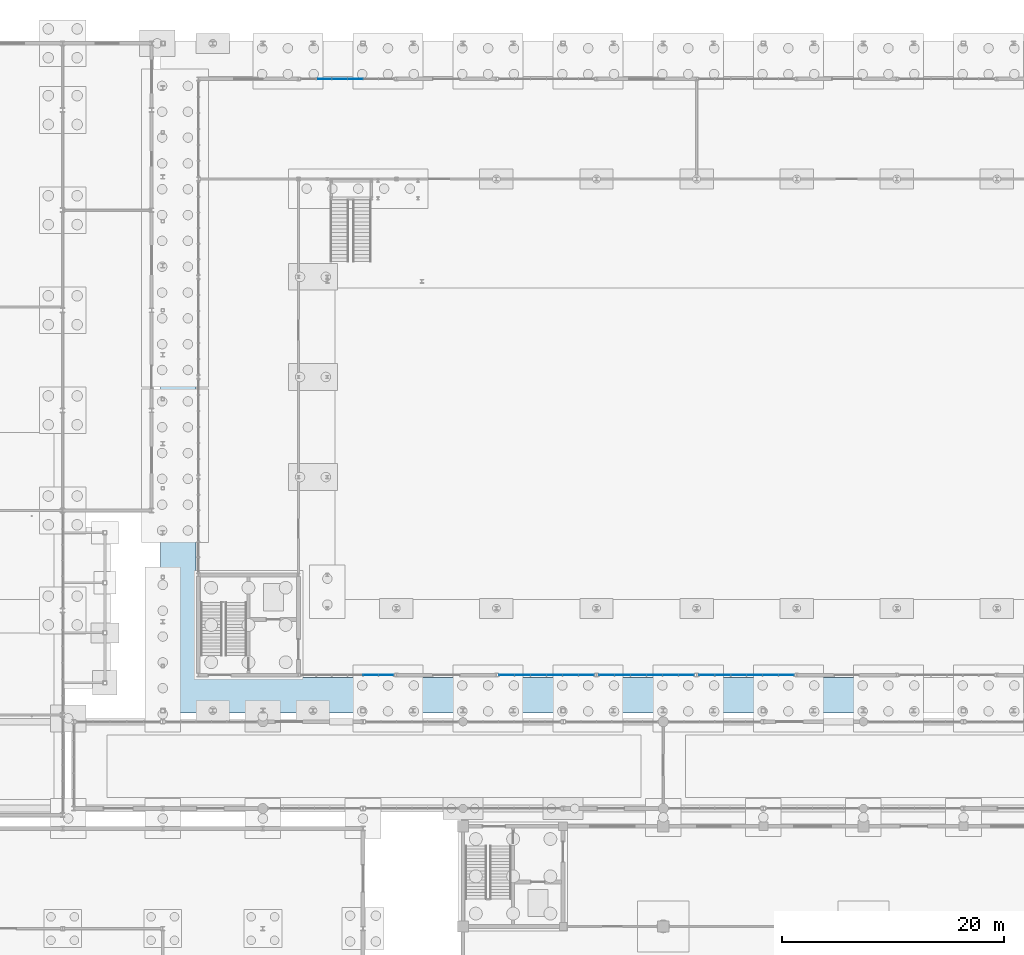
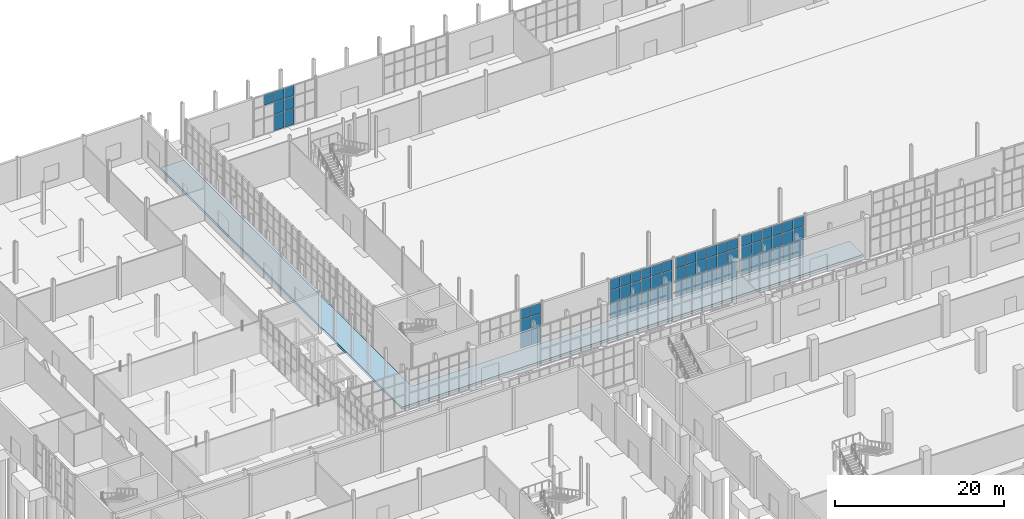
# One storey, part 83 of 131: 67 plates, 1 slab, 5 elements without a shape of their own.
"""IFC4 building model written with IfcOpenShell, lengths in metres."""

from ifc_helpers import new_model, si_unit, direction, frame, origin, origin_2d, place, context, subcontext, project, spatial, polyline, rectangle, outline, extrude, material, layer, layer_set, type_object, element, aggregate, save


model = new_model("IFC4")

# Units and contexts
model_context = context("Model", 3, precision=1e-05, world=origin(), true_north=direction((0.0, 1.0)))
body_context = subcontext(model_context, "Body", "Model", "MODEL_VIEW")
ifc_project = project(units=[si_unit("LENGTHUNIT", "METRE"), si_unit("AREAUNIT", "SQUARE_METRE"), si_unit("VOLUMEUNIT", "CUBIC_METRE"), si_unit("PLANEANGLEUNIT", "RADIAN"), si_unit("MASSUNIT", "GRAM", prefix="KILO")], contexts=[model_context])

# Site, building, storey
site_placement = place(None, origin())
site = spatial("IfcSite", under=ifc_project, at=site_placement, CompositionType="ELEMENT")
building_placement = place(site_placement, origin())
building = spatial("IfcBuilding", under=site, at=building_placement, Name="Cazmaro Siding Exhibition Halls", CompositionType="ELEMENT")
storey_placement = place(building_placement, origin())
storey = spatial("IfcBuildingStorey", under=building, at=storey_placement, Name="L00", CompositionType="ELEMENT", Elevation=0.0)

# Slab
ifc_material_1 = material(Name="Concrete f'c 35 MPa", Category="concrete")
ifc_layer_1 = layer(ifc_material_1, 0.35009765625)
ifc_layer_set_1 = layer_set([ifc_layer_1], Name="Concrete f'c 35 MPa")
slab_type = type_object("IfcSlabType", Name="BS-03", PredefinedType="BASESLAB", material=ifc_layer_set_1)
slab_placement = place(storey_placement, frame((0.0, 0.0, -0.35009765625)))
element("IfcSlab", 1, at=slab_placement, inside=storey, type_object=slab_type, Name="West colonnade walkway slab BS-03 SLB-0002", PredefinedType="BASESLAB", context=body_context, shape_type="SweptSolid", body=[
    extrude(outline(polyline([(44.800048828125, 63.800048828125), (108.0, 63.800048828125), (108.0, 67.0), (48.0, 67.0), (48.0, 121.0), (44.800048828125, 121.0), (44.800048828125, 63.800048828125)])), origin(), (0.0, 0.0, 1.0), 0.35009765625),
])

# Curtain wall, plates
ifc_material_2 = material(Name="Anodized Bronze Aluminum and Solar-Control Low-E Glazing", Category="aluminium")
ifc_layer_2 = layer(ifc_material_2, 0.179931640625)
ifc_layer_set_2 = layer_set([ifc_layer_2], Name="Anodized Bronze Aluminum and Solar-Control Low-E Glazing")
curtain_wall_type = type_object("IfcCurtainWallType", Name="CWS-01", PredefinedType="USERDEFINED", material=ifc_layer_set_2)
curtain_wall_1_placement = place(storey_placement, origin())
curtain_wall_1 = element("IfcCurtainWall", 2, at=curtain_wall_1_placement, inside=storey, type_object=curtain_wall_type, Name="Glazed Curtain Wall CWS-01 CW-003", ObjectType="GLAZED CURTAIN WALL", PredefinedType="USERDEFINED")
ifc_material_3 = material(Name="Solar-Control Low-E Double Insulating Glass", Category="glass")
ifc_layer_3 = layer(ifc_material_3, 0.02392578125)
ifc_layer_set_3 = layer_set([ifc_layer_3], Name="Solar-Control Low-E Double Insulating Glass")
plate_type = type_object("IfcPlateType", Name="CWP-01", PredefinedType="CURTAIN_PANEL", material=ifc_layer_set_3)
plate_1_placement = place(storey_placement, frame((63.701416015625, 67.199951171875, 0.06005859375), z_axis=(0.0, 0.0, 1.0), x_axis=(1.0, 0.0, 0.0)))
plate_1 = element("IfcPlate", 3, at=plate_1_placement, type_object=plate_type, Name="CWS-01 panel 5.1", PredefinedType="CURTAIN_PANEL", context=body_context, shape_type="SweptSolid", body=[
    extrude(rectangle(XDim=1.341064453125, YDim=0.02392578125, at=origin_2d()), origin(), (0.0, 0.0, 1.0), 2.31005859375),
])
plate_2_placement = place(storey_placement, frame((63.701416015625, 67.199951171875, 2.43017578125), z_axis=(0.0, 0.0, 1.0), x_axis=(1.0, 0.0, 0.0)))
plate_2 = element("IfcPlate", 4, at=plate_2_placement, type_object=plate_type, Name="CWS-01 panel 5.2", PredefinedType="CURTAIN_PANEL", context=body_context, shape_type="SweptSolid", body=[
    extrude(rectangle(XDim=1.341064453125, YDim=0.02392578125, at=origin_2d()), origin(), (0.0, 0.0, 1.0), 1.739990234375),
])
plate_3_placement = place(storey_placement, frame((63.701416015625, 67.199951171875, 4.22998046875), z_axis=(0.0, 0.0, 1.0), x_axis=(1.0, 0.0, 0.0)))
plate_3 = element("IfcPlate", 5, at=plate_3_placement, type_object=plate_type, Name="CWS-01 panel 5.3", PredefinedType="CURTAIN_PANEL", context=body_context, shape_type="SweptSolid", body=[
    extrude(rectangle(XDim=1.341064453125, YDim=0.02392578125, at=origin_2d()), origin(), (0.0, 0.0, 1.0), 1.489990234375),
])
plate_4_placement = place(storey_placement, frame((65.08740234375, 67.199951171875, 0.06005859375), z_axis=(0.0, 0.0, 1.0), x_axis=(1.0, 0.0, 0.0)))
plate_4 = element("IfcPlate", 6, at=plate_4_placement, type_object=plate_type, Name="CWS-01 panel 6.1", PredefinedType="CURTAIN_PANEL", context=body_context, shape_type="SweptSolid", body=[
    extrude(rectangle(XDim=1.31103515625, YDim=0.02392578125, at=origin_2d()), origin(), (0.0, 0.0, 1.0), 2.31005859375),
])
plate_5_placement = place(storey_placement, frame((65.08740234375, 67.199951171875, 2.43017578125), z_axis=(0.0, 0.0, 1.0), x_axis=(1.0, 0.0, 0.0)))
plate_5 = element("IfcPlate", 7, at=plate_5_placement, type_object=plate_type, Name="CWS-01 panel 6.2", PredefinedType="CURTAIN_PANEL", context=body_context, shape_type="SweptSolid", body=[
    extrude(rectangle(XDim=1.31103515625, YDim=0.02392578125, at=origin_2d()), origin(), (0.0, 0.0, 1.0), 1.739990234375),
])
plate_6_placement = place(storey_placement, frame((65.08740234375, 67.199951171875, 4.22998046875), z_axis=(0.0, 0.0, 1.0), x_axis=(1.0, 0.0, 0.0)))
plate_6 = element("IfcPlate", 8, at=plate_6_placement, type_object=plate_type, Name="CWS-01 panel 6.3", PredefinedType="CURTAIN_PANEL", context=body_context, shape_type="SweptSolid", body=[
    extrude(rectangle(XDim=1.31103515625, YDim=0.02392578125, at=origin_2d()), origin(), (0.0, 0.0, 1.0), 1.489990234375),
])
aggregate(curtain_wall_1, [plate_1, plate_2, plate_3, plate_4, plate_5, plate_6])

curtain_wall_2_placement = place(storey_placement, origin())
curtain_wall_2 = element("IfcCurtainWall", 9, at=curtain_wall_2_placement, inside=storey, type_object=curtain_wall_type, Name="Glazed Curtain Wall CWS-01 CW-006", ObjectType="GLAZED CURTAIN WALL", PredefinedType="USERDEFINED")
plate_7_placement = place(storey_placement, frame((62.300537109375, 120.800048828125, 0.06005859375), z_axis=(0.0, 0.0, 1.0), x_axis=(-1.0, 0.0, 0.0)))
plate_7 = element("IfcPlate", 10, at=plate_7_placement, type_object=plate_type, Name="CWS-01 panel 3.1", PredefinedType="CURTAIN_PANEL", context=body_context, shape_type="SweptSolid", body=[
    extrude(rectangle(XDim=1.341064453125, YDim=0.02392578125, at=origin_2d()), origin(), (0.0, 0.0, 1.0), 2.31005859375),
])
plate_8_placement = place(storey_placement, frame((62.300537109375, 120.800048828125, 2.43017578125), z_axis=(0.0, 0.0, 1.0), x_axis=(-1.0, 0.0, 0.0)))
plate_8 = element("IfcPlate", 11, at=plate_8_placement, type_object=plate_type, Name="CWS-01 panel 3.2", PredefinedType="CURTAIN_PANEL", context=body_context, shape_type="SweptSolid", body=[
    extrude(rectangle(XDim=1.341064453125, YDim=0.02392578125, at=origin_2d()), origin(), (0.0, 0.0, 1.0), 1.739990234375),
])
plate_9_placement = place(storey_placement, frame((62.300537109375, 120.800048828125, 4.22998046875), z_axis=(0.0, 0.0, 1.0), x_axis=(-1.0, 0.0, 0.0)))
plate_9 = element("IfcPlate", 12, at=plate_9_placement, type_object=plate_type, Name="CWS-01 panel 3.3", PredefinedType="CURTAIN_PANEL", context=body_context, shape_type="SweptSolid", body=[
    extrude(rectangle(XDim=1.341064453125, YDim=0.02392578125, at=origin_2d()), origin(), (0.0, 0.0, 1.0), 1.489990234375),
])
plate_10_placement = place(storey_placement, frame((60.8994140625, 120.800048828125, 0.06005859375), z_axis=(0.0, 0.0, 1.0), x_axis=(-1.0, 0.0, 0.0)))
plate_10 = element("IfcPlate", 13, at=plate_10_placement, type_object=plate_type, Name="CWS-01 panel 4.1", PredefinedType="CURTAIN_PANEL", context=body_context, shape_type="SweptSolid", body=[
    extrude(rectangle(XDim=1.341064453125, YDim=0.02392578125, at=origin_2d()), origin(), (0.0, 0.0, 1.0), 2.31005859375),
])
plate_11_placement = place(storey_placement, frame((60.8994140625, 120.800048828125, 2.43017578125), z_axis=(0.0, 0.0, 1.0), x_axis=(-1.0, 0.0, 0.0)))
plate_11 = element("IfcPlate", 14, at=plate_11_placement, type_object=plate_type, Name="CWS-01 panel 4.2", PredefinedType="CURTAIN_PANEL", context=body_context, shape_type="SweptSolid", body=[
    extrude(rectangle(XDim=1.341064453125, YDim=0.02392578125, at=origin_2d()), origin(), (0.0, 0.0, 1.0), 1.739990234375),
])
plate_12_placement = place(storey_placement, frame((60.8994140625, 120.800048828125, 4.22998046875), z_axis=(0.0, 0.0, 1.0), x_axis=(-1.0, 0.0, 0.0)))
plate_12 = element("IfcPlate", 15, at=plate_12_placement, type_object=plate_type, Name="CWS-01 panel 4.3", PredefinedType="CURTAIN_PANEL", context=body_context, shape_type="SweptSolid", body=[
    extrude(rectangle(XDim=1.341064453125, YDim=0.02392578125, at=origin_2d()), origin(), (0.0, 0.0, 1.0), 1.489990234375),
])
plate_13_placement = place(storey_placement, frame((59.49853515625, 120.800048828125, 4.22998046875), z_axis=(0.0, 0.0, 1.0), x_axis=(-1.0, 0.0, 0.0)))
plate_13 = element("IfcPlate", 16, at=plate_13_placement, type_object=plate_type, Name="CWS-01 panel 5.3", PredefinedType="CURTAIN_PANEL", context=body_context, shape_type="SweptSolid", body=[
    extrude(rectangle(XDim=1.341064453125, YDim=0.02392578125, at=origin_2d()), origin(), (0.0, 0.0, 1.0), 1.489990234375),
])
aggregate(curtain_wall_2, [plate_7, plate_8, plate_9, plate_10, plate_11, plate_12, plate_13])

curtain_wall_3_placement = place(storey_placement, origin())
curtain_wall_3 = element("IfcCurtainWall", 17, at=curtain_wall_3_placement, inside=storey, type_object=curtain_wall_type, Name="Glazed Curtain Wall CWS-01 CW-011", ObjectType="GLAZED CURTAIN WALL", PredefinedType="USERDEFINED")
plate_14_placement = place(storey_placement, frame((75.92919921875, 67.199951171875, 0.06005859375), z_axis=(0.0, 0.0, 1.0), x_axis=(1.0, 0.0, 0.0)))
plate_14 = element("IfcPlate", 18, at=plate_14_placement, type_object=plate_type, Name="CWS-01 panel 1.1", PredefinedType="CURTAIN_PANEL", context=body_context, shape_type="SweptSolid", body=[
    extrude(rectangle(XDim=1.34423828125, YDim=0.02392578125, at=origin_2d()), origin(), (0.0, 0.0, 1.0), 2.31005859375),
])
plate_15_placement = place(storey_placement, frame((75.92919921875, 67.199951171875, 2.43017578125), z_axis=(0.0, 0.0, 1.0), x_axis=(1.0, 0.0, 0.0)))
plate_15 = element("IfcPlate", 19, at=plate_15_placement, type_object=plate_type, Name="CWS-01 panel 1.2", PredefinedType="CURTAIN_PANEL", context=body_context, shape_type="SweptSolid", body=[
    extrude(rectangle(XDim=1.34423828125, YDim=0.02392578125, at=origin_2d()), origin(), (0.0, 0.0, 1.0), 1.739990234375),
])
plate_16_placement = place(storey_placement, frame((75.92919921875, 67.199951171875, 4.22998046875), z_axis=(0.0, 0.0, 1.0), x_axis=(1.0, 0.0, 0.0)))
plate_16 = element("IfcPlate", 20, at=plate_16_placement, type_object=plate_type, Name="CWS-01 panel 1.3", PredefinedType="CURTAIN_PANEL", context=body_context, shape_type="SweptSolid", body=[
    extrude(rectangle(XDim=1.34423828125, YDim=0.02392578125, at=origin_2d()), origin(), (0.0, 0.0, 1.0), 1.489990234375),
])
plate_17_placement = place(storey_placement, frame((77.348388671875, 67.199951171875, 0.06005859375), z_axis=(0.0, 0.0, 1.0), x_axis=(1.0, 0.0, 0.0)))
plate_17 = element("IfcPlate", 21, at=plate_17_placement, type_object=plate_type, Name="CWS-01 panel 2.1", PredefinedType="CURTAIN_PANEL", context=body_context, shape_type="SweptSolid", body=[
    extrude(rectangle(XDim=1.374267578125, YDim=0.02392578125, at=origin_2d()), origin(), (0.0, 0.0, 1.0), 2.31005859375),
])
plate_18_placement = place(storey_placement, frame((77.348388671875, 67.199951171875, 2.43017578125), z_axis=(0.0, 0.0, 1.0), x_axis=(1.0, 0.0, 0.0)))
plate_18 = element("IfcPlate", 22, at=plate_18_placement, type_object=plate_type, Name="CWS-01 panel 2.2", PredefinedType="CURTAIN_PANEL", context=body_context, shape_type="SweptSolid", body=[
    extrude(rectangle(XDim=1.374267578125, YDim=0.02392578125, at=origin_2d()), origin(), (0.0, 0.0, 1.0), 1.739990234375),
])
plate_19_placement = place(storey_placement, frame((77.348388671875, 67.199951171875, 4.22998046875), z_axis=(0.0, 0.0, 1.0), x_axis=(1.0, 0.0, 0.0)))
plate_19 = element("IfcPlate", 23, at=plate_19_placement, type_object=plate_type, Name="CWS-01 panel 2.3", PredefinedType="CURTAIN_PANEL", context=body_context, shape_type="SweptSolid", body=[
    extrude(rectangle(XDim=1.374267578125, YDim=0.02392578125, at=origin_2d()), origin(), (0.0, 0.0, 1.0), 1.489990234375),
])
plate_20_placement = place(storey_placement, frame((78.78271484375, 67.199951171875, 0.06005859375), z_axis=(0.0, 0.0, 1.0), x_axis=(1.0, 0.0, 0.0)))
plate_20 = element("IfcPlate", 24, at=plate_20_placement, type_object=plate_type, Name="CWS-01 panel 3.1", PredefinedType="CURTAIN_PANEL", context=body_context, shape_type="SweptSolid", body=[
    extrude(rectangle(XDim=1.374267578125, YDim=0.02392578125, at=origin_2d()), origin(), (0.0, 0.0, 1.0), 2.31005859375),
])
plate_21_placement = place(storey_placement, frame((78.78271484375, 67.199951171875, 2.43017578125), z_axis=(0.0, 0.0, 1.0), x_axis=(1.0, 0.0, 0.0)))
plate_21 = element("IfcPlate", 25, at=plate_21_placement, type_object=plate_type, Name="CWS-01 panel 3.2", PredefinedType="CURTAIN_PANEL", context=body_context, shape_type="SweptSolid", body=[
    extrude(rectangle(XDim=1.374267578125, YDim=0.02392578125, at=origin_2d()), origin(), (0.0, 0.0, 1.0), 1.739990234375),
])
plate_22_placement = place(storey_placement, frame((78.78271484375, 67.199951171875, 4.22998046875), z_axis=(0.0, 0.0, 1.0), x_axis=(1.0, 0.0, 0.0)))
plate_22 = element("IfcPlate", 26, at=plate_22_placement, type_object=plate_type, Name="CWS-01 panel 3.3", PredefinedType="CURTAIN_PANEL", context=body_context, shape_type="SweptSolid", body=[
    extrude(rectangle(XDim=1.374267578125, YDim=0.02392578125, at=origin_2d()), origin(), (0.0, 0.0, 1.0), 1.489990234375),
])
plate_23_placement = place(storey_placement, frame((80.21728515625, 67.199951171875, 0.06005859375), z_axis=(0.0, 0.0, 1.0), x_axis=(1.0, 0.0, 0.0)))
plate_23 = element("IfcPlate", 27, at=plate_23_placement, type_object=plate_type, Name="CWS-01 panel 4.1", PredefinedType="CURTAIN_PANEL", context=body_context, shape_type="SweptSolid", body=[
    extrude(rectangle(XDim=1.374267578125, YDim=0.02392578125, at=origin_2d()), origin(), (0.0, 0.0, 1.0), 2.31005859375),
])
plate_24_placement = place(storey_placement, frame((80.21728515625, 67.199951171875, 2.43017578125), z_axis=(0.0, 0.0, 1.0), x_axis=(1.0, 0.0, 0.0)))
plate_24 = element("IfcPlate", 28, at=plate_24_placement, type_object=plate_type, Name="CWS-01 panel 4.2", PredefinedType="CURTAIN_PANEL", context=body_context, shape_type="SweptSolid", body=[
    extrude(rectangle(XDim=1.374267578125, YDim=0.02392578125, at=origin_2d()), origin(), (0.0, 0.0, 1.0), 1.739990234375),
])
plate_25_placement = place(storey_placement, frame((80.21728515625, 67.199951171875, 4.22998046875), z_axis=(0.0, 0.0, 1.0), x_axis=(1.0, 0.0, 0.0)))
plate_25 = element("IfcPlate", 29, at=plate_25_placement, type_object=plate_type, Name="CWS-01 panel 4.3", PredefinedType="CURTAIN_PANEL", context=body_context, shape_type="SweptSolid", body=[
    extrude(rectangle(XDim=1.374267578125, YDim=0.02392578125, at=origin_2d()), origin(), (0.0, 0.0, 1.0), 1.489990234375),
])
plate_26_placement = place(storey_placement, frame((81.651611328125, 67.199951171875, 0.06005859375), z_axis=(0.0, 0.0, 1.0), x_axis=(1.0, 0.0, 0.0)))
plate_26 = element("IfcPlate", 30, at=plate_26_placement, type_object=plate_type, Name="CWS-01 panel 5.1", PredefinedType="CURTAIN_PANEL", context=body_context, shape_type="SweptSolid", body=[
    extrude(rectangle(XDim=1.374267578125, YDim=0.02392578125, at=origin_2d()), origin(), (0.0, 0.0, 1.0), 2.31005859375),
])
plate_27_placement = place(storey_placement, frame((81.651611328125, 67.199951171875, 2.43017578125), z_axis=(0.0, 0.0, 1.0), x_axis=(1.0, 0.0, 0.0)))
plate_27 = element("IfcPlate", 31, at=plate_27_placement, type_object=plate_type, Name="CWS-01 panel 5.2", PredefinedType="CURTAIN_PANEL", context=body_context, shape_type="SweptSolid", body=[
    extrude(rectangle(XDim=1.374267578125, YDim=0.02392578125, at=origin_2d()), origin(), (0.0, 0.0, 1.0), 1.739990234375),
])
plate_28_placement = place(storey_placement, frame((81.651611328125, 67.199951171875, 4.22998046875), z_axis=(0.0, 0.0, 1.0), x_axis=(1.0, 0.0, 0.0)))
plate_28 = element("IfcPlate", 32, at=plate_28_placement, type_object=plate_type, Name="CWS-01 panel 5.3", PredefinedType="CURTAIN_PANEL", context=body_context, shape_type="SweptSolid", body=[
    extrude(rectangle(XDim=1.374267578125, YDim=0.02392578125, at=origin_2d()), origin(), (0.0, 0.0, 1.0), 1.489990234375),
])
plate_29_placement = place(storey_placement, frame((83.07080078125, 67.199951171875, 0.06005859375), z_axis=(0.0, 0.0, 1.0), x_axis=(1.0, 0.0, 0.0)))
plate_29 = element("IfcPlate", 33, at=plate_29_placement, type_object=plate_type, Name="CWS-01 panel 6.1", PredefinedType="CURTAIN_PANEL", context=body_context, shape_type="SweptSolid", body=[
    extrude(rectangle(XDim=1.34423828125, YDim=0.02392578125, at=origin_2d()), origin(), (0.0, 0.0, 1.0), 2.31005859375),
])
plate_30_placement = place(storey_placement, frame((83.07080078125, 67.199951171875, 2.43017578125), z_axis=(0.0, 0.0, 1.0), x_axis=(1.0, 0.0, 0.0)))
plate_30 = element("IfcPlate", 34, at=plate_30_placement, type_object=plate_type, Name="CWS-01 panel 6.2", PredefinedType="CURTAIN_PANEL", context=body_context, shape_type="SweptSolid", body=[
    extrude(rectangle(XDim=1.34423828125, YDim=0.02392578125, at=origin_2d()), origin(), (0.0, 0.0, 1.0), 1.739990234375),
])
plate_31_placement = place(storey_placement, frame((83.07080078125, 67.199951171875, 4.22998046875), z_axis=(0.0, 0.0, 1.0), x_axis=(1.0, 0.0, 0.0)))
plate_31 = element("IfcPlate", 35, at=plate_31_placement, type_object=plate_type, Name="CWS-01 panel 6.3", PredefinedType="CURTAIN_PANEL", context=body_context, shape_type="SweptSolid", body=[
    extrude(rectangle(XDim=1.34423828125, YDim=0.02392578125, at=origin_2d()), origin(), (0.0, 0.0, 1.0), 1.489990234375),
])
aggregate(curtain_wall_3, [plate_14, plate_15, plate_16, plate_17, plate_18, plate_19, plate_20, plate_21, plate_22, plate_23, plate_24, plate_25, plate_26, plate_27, plate_28, plate_29, plate_30, plate_31])

curtain_wall_4_placement = place(storey_placement, origin())
curtain_wall_4 = element("IfcCurtainWall", 36, at=curtain_wall_4_placement, inside=storey, type_object=curtain_wall_type, Name="Glazed Curtain Wall CWS-01 CW-016", ObjectType="GLAZED CURTAIN WALL", PredefinedType="USERDEFINED")
plate_32_placement = place(storey_placement, frame((84.92919921875, 67.199951171875, 0.06005859375), z_axis=(0.0, 0.0, 1.0), x_axis=(1.0, 0.0, 0.0)))
plate_32 = element("IfcPlate", 37, at=plate_32_placement, type_object=plate_type, Name="CWS-01 panel 1.1", PredefinedType="CURTAIN_PANEL", context=body_context, shape_type="SweptSolid", body=[
    extrude(rectangle(XDim=1.34423828125, YDim=0.02392578125, at=origin_2d()), origin(), (0.0, 0.0, 1.0), 2.31005859375),
])
plate_33_placement = place(storey_placement, frame((84.92919921875, 67.199951171875, 2.43017578125), z_axis=(0.0, 0.0, 1.0), x_axis=(1.0, 0.0, 0.0)))
plate_33 = element("IfcPlate", 38, at=plate_33_placement, type_object=plate_type, Name="CWS-01 panel 1.2", PredefinedType="CURTAIN_PANEL", context=body_context, shape_type="SweptSolid", body=[
    extrude(rectangle(XDim=1.34423828125, YDim=0.02392578125, at=origin_2d()), origin(), (0.0, 0.0, 1.0), 1.739990234375),
])
plate_34_placement = place(storey_placement, frame((84.92919921875, 67.199951171875, 4.22998046875), z_axis=(0.0, 0.0, 1.0), x_axis=(1.0, 0.0, 0.0)))
plate_34 = element("IfcPlate", 39, at=plate_34_placement, type_object=plate_type, Name="CWS-01 panel 1.3", PredefinedType="CURTAIN_PANEL", context=body_context, shape_type="SweptSolid", body=[
    extrude(rectangle(XDim=1.34423828125, YDim=0.02392578125, at=origin_2d()), origin(), (0.0, 0.0, 1.0), 1.489990234375),
])
plate_35_placement = place(storey_placement, frame((86.348388671875, 67.199951171875, 0.06005859375), z_axis=(0.0, 0.0, 1.0), x_axis=(1.0, 0.0, 0.0)))
plate_35 = element("IfcPlate", 40, at=plate_35_placement, type_object=plate_type, Name="CWS-01 panel 2.1", PredefinedType="CURTAIN_PANEL", context=body_context, shape_type="SweptSolid", body=[
    extrude(rectangle(XDim=1.374267578125, YDim=0.02392578125, at=origin_2d()), origin(), (0.0, 0.0, 1.0), 2.31005859375),
])
plate_36_placement = place(storey_placement, frame((86.348388671875, 67.199951171875, 2.43017578125), z_axis=(0.0, 0.0, 1.0), x_axis=(1.0, 0.0, 0.0)))
plate_36 = element("IfcPlate", 41, at=plate_36_placement, type_object=plate_type, Name="CWS-01 panel 2.2", PredefinedType="CURTAIN_PANEL", context=body_context, shape_type="SweptSolid", body=[
    extrude(rectangle(XDim=1.374267578125, YDim=0.02392578125, at=origin_2d()), origin(), (0.0, 0.0, 1.0), 1.739990234375),
])
plate_37_placement = place(storey_placement, frame((86.348388671875, 67.199951171875, 4.22998046875), z_axis=(0.0, 0.0, 1.0), x_axis=(1.0, 0.0, 0.0)))
plate_37 = element("IfcPlate", 42, at=plate_37_placement, type_object=plate_type, Name="CWS-01 panel 2.3", PredefinedType="CURTAIN_PANEL", context=body_context, shape_type="SweptSolid", body=[
    extrude(rectangle(XDim=1.374267578125, YDim=0.02392578125, at=origin_2d()), origin(), (0.0, 0.0, 1.0), 1.489990234375),
])
plate_38_placement = place(storey_placement, frame((87.78271484375, 67.199951171875, 0.06005859375), z_axis=(0.0, 0.0, 1.0), x_axis=(1.0, 0.0, 0.0)))
plate_38 = element("IfcPlate", 43, at=plate_38_placement, type_object=plate_type, Name="CWS-01 panel 3.1", PredefinedType="CURTAIN_PANEL", context=body_context, shape_type="SweptSolid", body=[
    extrude(rectangle(XDim=1.374267578125, YDim=0.02392578125, at=origin_2d()), origin(), (0.0, 0.0, 1.0), 2.31005859375),
])
plate_39_placement = place(storey_placement, frame((87.78271484375, 67.199951171875, 2.43017578125), z_axis=(0.0, 0.0, 1.0), x_axis=(1.0, 0.0, 0.0)))
plate_39 = element("IfcPlate", 44, at=plate_39_placement, type_object=plate_type, Name="CWS-01 panel 3.2", PredefinedType="CURTAIN_PANEL", context=body_context, shape_type="SweptSolid", body=[
    extrude(rectangle(XDim=1.374267578125, YDim=0.02392578125, at=origin_2d()), origin(), (0.0, 0.0, 1.0), 1.739990234375),
])
plate_40_placement = place(storey_placement, frame((87.78271484375, 67.199951171875, 4.22998046875), z_axis=(0.0, 0.0, 1.0), x_axis=(1.0, 0.0, 0.0)))
plate_40 = element("IfcPlate", 45, at=plate_40_placement, type_object=plate_type, Name="CWS-01 panel 3.3", PredefinedType="CURTAIN_PANEL", context=body_context, shape_type="SweptSolid", body=[
    extrude(rectangle(XDim=1.374267578125, YDim=0.02392578125, at=origin_2d()), origin(), (0.0, 0.0, 1.0), 1.489990234375),
])
plate_41_placement = place(storey_placement, frame((89.21728515625, 67.199951171875, 0.06005859375), z_axis=(0.0, 0.0, 1.0), x_axis=(1.0, 0.0, 0.0)))
plate_41 = element("IfcPlate", 46, at=plate_41_placement, type_object=plate_type, Name="CWS-01 panel 4.1", PredefinedType="CURTAIN_PANEL", context=body_context, shape_type="SweptSolid", body=[
    extrude(rectangle(XDim=1.374267578125, YDim=0.02392578125, at=origin_2d()), origin(), (0.0, 0.0, 1.0), 2.31005859375),
])
plate_42_placement = place(storey_placement, frame((89.21728515625, 67.199951171875, 2.43017578125), z_axis=(0.0, 0.0, 1.0), x_axis=(1.0, 0.0, 0.0)))
plate_42 = element("IfcPlate", 47, at=plate_42_placement, type_object=plate_type, Name="CWS-01 panel 4.2", PredefinedType="CURTAIN_PANEL", context=body_context, shape_type="SweptSolid", body=[
    extrude(rectangle(XDim=1.374267578125, YDim=0.02392578125, at=origin_2d()), origin(), (0.0, 0.0, 1.0), 1.739990234375),
])
plate_43_placement = place(storey_placement, frame((89.21728515625, 67.199951171875, 4.22998046875), z_axis=(0.0, 0.0, 1.0), x_axis=(1.0, 0.0, 0.0)))
plate_43 = element("IfcPlate", 48, at=plate_43_placement, type_object=plate_type, Name="CWS-01 panel 4.3", PredefinedType="CURTAIN_PANEL", context=body_context, shape_type="SweptSolid", body=[
    extrude(rectangle(XDim=1.374267578125, YDim=0.02392578125, at=origin_2d()), origin(), (0.0, 0.0, 1.0), 1.489990234375),
])
plate_44_placement = place(storey_placement, frame((90.651611328125, 67.199951171875, 0.06005859375), z_axis=(0.0, 0.0, 1.0), x_axis=(1.0, 0.0, 0.0)))
plate_44 = element("IfcPlate", 49, at=plate_44_placement, type_object=plate_type, Name="CWS-01 panel 5.1", PredefinedType="CURTAIN_PANEL", context=body_context, shape_type="SweptSolid", body=[
    extrude(rectangle(XDim=1.374267578125, YDim=0.02392578125, at=origin_2d()), origin(), (0.0, 0.0, 1.0), 2.31005859375),
])
plate_45_placement = place(storey_placement, frame((90.651611328125, 67.199951171875, 2.43017578125), z_axis=(0.0, 0.0, 1.0), x_axis=(1.0, 0.0, 0.0)))
plate_45 = element("IfcPlate", 50, at=plate_45_placement, type_object=plate_type, Name="CWS-01 panel 5.2", PredefinedType="CURTAIN_PANEL", context=body_context, shape_type="SweptSolid", body=[
    extrude(rectangle(XDim=1.374267578125, YDim=0.02392578125, at=origin_2d()), origin(), (0.0, 0.0, 1.0), 1.739990234375),
])
plate_46_placement = place(storey_placement, frame((90.651611328125, 67.199951171875, 4.22998046875), z_axis=(0.0, 0.0, 1.0), x_axis=(1.0, 0.0, 0.0)))
plate_46 = element("IfcPlate", 51, at=plate_46_placement, type_object=plate_type, Name="CWS-01 panel 5.3", PredefinedType="CURTAIN_PANEL", context=body_context, shape_type="SweptSolid", body=[
    extrude(rectangle(XDim=1.374267578125, YDim=0.02392578125, at=origin_2d()), origin(), (0.0, 0.0, 1.0), 1.489990234375),
])
plate_47_placement = place(storey_placement, frame((92.07080078125, 67.199951171875, 0.06005859375), z_axis=(0.0, 0.0, 1.0), x_axis=(1.0, 0.0, 0.0)))
plate_47 = element("IfcPlate", 52, at=plate_47_placement, type_object=plate_type, Name="CWS-01 panel 6.1", PredefinedType="CURTAIN_PANEL", context=body_context, shape_type="SweptSolid", body=[
    extrude(rectangle(XDim=1.34423828125, YDim=0.02392578125, at=origin_2d()), origin(), (0.0, 0.0, 1.0), 2.31005859375),
])
plate_48_placement = place(storey_placement, frame((92.07080078125, 67.199951171875, 2.43017578125), z_axis=(0.0, 0.0, 1.0), x_axis=(1.0, 0.0, 0.0)))
plate_48 = element("IfcPlate", 53, at=plate_48_placement, type_object=plate_type, Name="CWS-01 panel 6.2", PredefinedType="CURTAIN_PANEL", context=body_context, shape_type="SweptSolid", body=[
    extrude(rectangle(XDim=1.34423828125, YDim=0.02392578125, at=origin_2d()), origin(), (0.0, 0.0, 1.0), 1.739990234375),
])
plate_49_placement = place(storey_placement, frame((92.07080078125, 67.199951171875, 4.22998046875), z_axis=(0.0, 0.0, 1.0), x_axis=(1.0, 0.0, 0.0)))
plate_49 = element("IfcPlate", 54, at=plate_49_placement, type_object=plate_type, Name="CWS-01 panel 6.3", PredefinedType="CURTAIN_PANEL", context=body_context, shape_type="SweptSolid", body=[
    extrude(rectangle(XDim=1.34423828125, YDim=0.02392578125, at=origin_2d()), origin(), (0.0, 0.0, 1.0), 1.489990234375),
])
aggregate(curtain_wall_4, [plate_32, plate_33, plate_34, plate_35, plate_36, plate_37, plate_38, plate_39, plate_40, plate_41, plate_42, plate_43, plate_44, plate_45, plate_46, plate_47, plate_48, plate_49])

curtain_wall_5_placement = place(storey_placement, origin())
curtain_wall_5 = element("IfcCurtainWall", 55, at=curtain_wall_5_placement, inside=storey, type_object=curtain_wall_type, Name="Glazed Curtain Wall CWS-01 CW-019", ObjectType="GLAZED CURTAIN WALL", PredefinedType="USERDEFINED")
plate_50_placement = place(storey_placement, frame((93.92919921875, 67.199951171875, 0.06005859375), z_axis=(0.0, 0.0, 1.0), x_axis=(1.0, 0.0, 0.0)))
plate_50 = element("IfcPlate", 56, at=plate_50_placement, type_object=plate_type, Name="CWS-01 panel 1.1", PredefinedType="CURTAIN_PANEL", context=body_context, shape_type="SweptSolid", body=[
    extrude(rectangle(XDim=1.34423828125, YDim=0.02392578125, at=origin_2d()), origin(), (0.0, 0.0, 1.0), 2.31005859375),
])
plate_51_placement = place(storey_placement, frame((93.92919921875, 67.199951171875, 2.43017578125), z_axis=(0.0, 0.0, 1.0), x_axis=(1.0, 0.0, 0.0)))
plate_51 = element("IfcPlate", 57, at=plate_51_placement, type_object=plate_type, Name="CWS-01 panel 1.2", PredefinedType="CURTAIN_PANEL", context=body_context, shape_type="SweptSolid", body=[
    extrude(rectangle(XDim=1.34423828125, YDim=0.02392578125, at=origin_2d()), origin(), (0.0, 0.0, 1.0), 1.739990234375),
])
plate_52_placement = place(storey_placement, frame((93.92919921875, 67.199951171875, 4.22998046875), z_axis=(0.0, 0.0, 1.0), x_axis=(1.0, 0.0, 0.0)))
plate_52 = element("IfcPlate", 58, at=plate_52_placement, type_object=plate_type, Name="CWS-01 panel 1.3", PredefinedType="CURTAIN_PANEL", context=body_context, shape_type="SweptSolid", body=[
    extrude(rectangle(XDim=1.34423828125, YDim=0.02392578125, at=origin_2d()), origin(), (0.0, 0.0, 1.0), 1.489990234375),
])
plate_53_placement = place(storey_placement, frame((95.348388671875, 67.199951171875, 0.06005859375), z_axis=(0.0, 0.0, 1.0), x_axis=(1.0, 0.0, 0.0)))
plate_53 = element("IfcPlate", 59, at=plate_53_placement, type_object=plate_type, Name="CWS-01 panel 2.1", PredefinedType="CURTAIN_PANEL", context=body_context, shape_type="SweptSolid", body=[
    extrude(rectangle(XDim=1.374267578125, YDim=0.02392578125, at=origin_2d()), origin(), (0.0, 0.0, 1.0), 2.31005859375),
])
plate_54_placement = place(storey_placement, frame((95.348388671875, 67.199951171875, 2.43017578125), z_axis=(0.0, 0.0, 1.0), x_axis=(1.0, 0.0, 0.0)))
plate_54 = element("IfcPlate", 60, at=plate_54_placement, type_object=plate_type, Name="CWS-01 panel 2.2", PredefinedType="CURTAIN_PANEL", context=body_context, shape_type="SweptSolid", body=[
    extrude(rectangle(XDim=1.374267578125, YDim=0.02392578125, at=origin_2d()), origin(), (0.0, 0.0, 1.0), 1.739990234375),
])
plate_55_placement = place(storey_placement, frame((95.348388671875, 67.199951171875, 4.22998046875), z_axis=(0.0, 0.0, 1.0), x_axis=(1.0, 0.0, 0.0)))
plate_55 = element("IfcPlate", 61, at=plate_55_placement, type_object=plate_type, Name="CWS-01 panel 2.3", PredefinedType="CURTAIN_PANEL", context=body_context, shape_type="SweptSolid", body=[
    extrude(rectangle(XDim=1.374267578125, YDim=0.02392578125, at=origin_2d()), origin(), (0.0, 0.0, 1.0), 1.489990234375),
])
plate_56_placement = place(storey_placement, frame((96.78271484375, 67.199951171875, 0.06005859375), z_axis=(0.0, 0.0, 1.0), x_axis=(1.0, 0.0, 0.0)))
plate_56 = element("IfcPlate", 62, at=plate_56_placement, type_object=plate_type, Name="CWS-01 panel 3.1", PredefinedType="CURTAIN_PANEL", context=body_context, shape_type="SweptSolid", body=[
    extrude(rectangle(XDim=1.374267578125, YDim=0.02392578125, at=origin_2d()), origin(), (0.0, 0.0, 1.0), 2.31005859375),
])
plate_57_placement = place(storey_placement, frame((96.78271484375, 67.199951171875, 2.43017578125), z_axis=(0.0, 0.0, 1.0), x_axis=(1.0, 0.0, 0.0)))
plate_57 = element("IfcPlate", 63, at=plate_57_placement, type_object=plate_type, Name="CWS-01 panel 3.2", PredefinedType="CURTAIN_PANEL", context=body_context, shape_type="SweptSolid", body=[
    extrude(rectangle(XDim=1.374267578125, YDim=0.02392578125, at=origin_2d()), origin(), (0.0, 0.0, 1.0), 1.739990234375),
])
plate_58_placement = place(storey_placement, frame((96.78271484375, 67.199951171875, 4.22998046875), z_axis=(0.0, 0.0, 1.0), x_axis=(1.0, 0.0, 0.0)))
plate_58 = element("IfcPlate", 64, at=plate_58_placement, type_object=plate_type, Name="CWS-01 panel 3.3", PredefinedType="CURTAIN_PANEL", context=body_context, shape_type="SweptSolid", body=[
    extrude(rectangle(XDim=1.374267578125, YDim=0.02392578125, at=origin_2d()), origin(), (0.0, 0.0, 1.0), 1.489990234375),
])
plate_59_placement = place(storey_placement, frame((98.21728515625, 67.199951171875, 0.06005859375), z_axis=(0.0, 0.0, 1.0), x_axis=(1.0, 0.0, 0.0)))
plate_59 = element("IfcPlate", 65, at=plate_59_placement, type_object=plate_type, Name="CWS-01 panel 4.1", PredefinedType="CURTAIN_PANEL", context=body_context, shape_type="SweptSolid", body=[
    extrude(rectangle(XDim=1.374267578125, YDim=0.02392578125, at=origin_2d()), origin(), (0.0, 0.0, 1.0), 2.31005859375),
])
plate_60_placement = place(storey_placement, frame((98.21728515625, 67.199951171875, 2.43017578125), z_axis=(0.0, 0.0, 1.0), x_axis=(1.0, 0.0, 0.0)))
plate_60 = element("IfcPlate", 66, at=plate_60_placement, type_object=plate_type, Name="CWS-01 panel 4.2", PredefinedType="CURTAIN_PANEL", context=body_context, shape_type="SweptSolid", body=[
    extrude(rectangle(XDim=1.374267578125, YDim=0.02392578125, at=origin_2d()), origin(), (0.0, 0.0, 1.0), 1.739990234375),
])
plate_61_placement = place(storey_placement, frame((98.21728515625, 67.199951171875, 4.22998046875), z_axis=(0.0, 0.0, 1.0), x_axis=(1.0, 0.0, 0.0)))
plate_61 = element("IfcPlate", 67, at=plate_61_placement, type_object=plate_type, Name="CWS-01 panel 4.3", PredefinedType="CURTAIN_PANEL", context=body_context, shape_type="SweptSolid", body=[
    extrude(rectangle(XDim=1.374267578125, YDim=0.02392578125, at=origin_2d()), origin(), (0.0, 0.0, 1.0), 1.489990234375),
])
plate_62_placement = place(storey_placement, frame((99.651611328125, 67.199951171875, 0.06005859375), z_axis=(0.0, 0.0, 1.0), x_axis=(1.0, 0.0, 0.0)))
plate_62 = element("IfcPlate", 68, at=plate_62_placement, type_object=plate_type, Name="CWS-01 panel 5.1", PredefinedType="CURTAIN_PANEL", context=body_context, shape_type="SweptSolid", body=[
    extrude(rectangle(XDim=1.374267578125, YDim=0.02392578125, at=origin_2d()), origin(), (0.0, 0.0, 1.0), 2.31005859375),
])
plate_63_placement = place(storey_placement, frame((99.651611328125, 67.199951171875, 2.43017578125), z_axis=(0.0, 0.0, 1.0), x_axis=(1.0, 0.0, 0.0)))
plate_63 = element("IfcPlate", 69, at=plate_63_placement, type_object=plate_type, Name="CWS-01 panel 5.2", PredefinedType="CURTAIN_PANEL", context=body_context, shape_type="SweptSolid", body=[
    extrude(rectangle(XDim=1.374267578125, YDim=0.02392578125, at=origin_2d()), origin(), (0.0, 0.0, 1.0), 1.739990234375),
])
plate_64_placement = place(storey_placement, frame((99.651611328125, 67.199951171875, 4.22998046875), z_axis=(0.0, 0.0, 1.0), x_axis=(1.0, 0.0, 0.0)))
plate_64 = element("IfcPlate", 70, at=plate_64_placement, type_object=plate_type, Name="CWS-01 panel 5.3", PredefinedType="CURTAIN_PANEL", context=body_context, shape_type="SweptSolid", body=[
    extrude(rectangle(XDim=1.374267578125, YDim=0.02392578125, at=origin_2d()), origin(), (0.0, 0.0, 1.0), 1.489990234375),
])
plate_65_placement = place(storey_placement, frame((101.07080078125, 67.199951171875, 0.06005859375), z_axis=(0.0, 0.0, 1.0), x_axis=(1.0, 0.0, 0.0)))
plate_65 = element("IfcPlate", 71, at=plate_65_placement, type_object=plate_type, Name="CWS-01 panel 6.1", PredefinedType="CURTAIN_PANEL", context=body_context, shape_type="SweptSolid", body=[
    extrude(rectangle(XDim=1.34423828125, YDim=0.02392578125, at=origin_2d()), origin(), (0.0, 0.0, 1.0), 2.31005859375),
])
plate_66_placement = place(storey_placement, frame((101.07080078125, 67.199951171875, 2.43017578125), z_axis=(0.0, 0.0, 1.0), x_axis=(1.0, 0.0, 0.0)))
plate_66 = element("IfcPlate", 72, at=plate_66_placement, type_object=plate_type, Name="CWS-01 panel 6.2", PredefinedType="CURTAIN_PANEL", context=body_context, shape_type="SweptSolid", body=[
    extrude(rectangle(XDim=1.34423828125, YDim=0.02392578125, at=origin_2d()), origin(), (0.0, 0.0, 1.0), 1.739990234375),
])
plate_67_placement = place(storey_placement, frame((101.07080078125, 67.199951171875, 4.22998046875), z_axis=(0.0, 0.0, 1.0), x_axis=(1.0, 0.0, 0.0)))
plate_67 = element("IfcPlate", 73, at=plate_67_placement, type_object=plate_type, Name="CWS-01 panel 6.3", PredefinedType="CURTAIN_PANEL", context=body_context, shape_type="SweptSolid", body=[
    extrude(rectangle(XDim=1.34423828125, YDim=0.02392578125, at=origin_2d()), origin(), (0.0, 0.0, 1.0), 1.489990234375),
])
aggregate(curtain_wall_5, [plate_50, plate_51, plate_52, plate_53, plate_54, plate_55, plate_56, plate_57, plate_58, plate_59, plate_60, plate_61, plate_62, plate_63, plate_64, plate_65, plate_66, plate_67])

save(model, "model.ifc")
